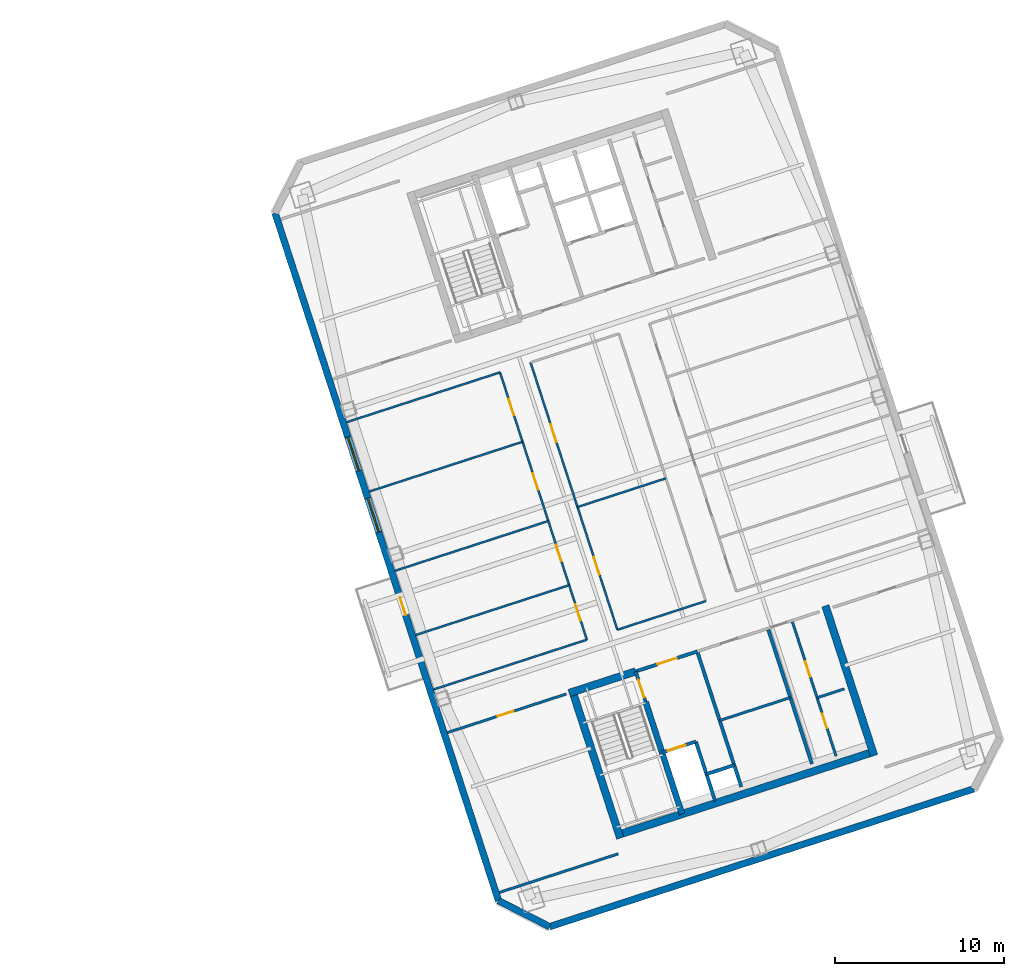
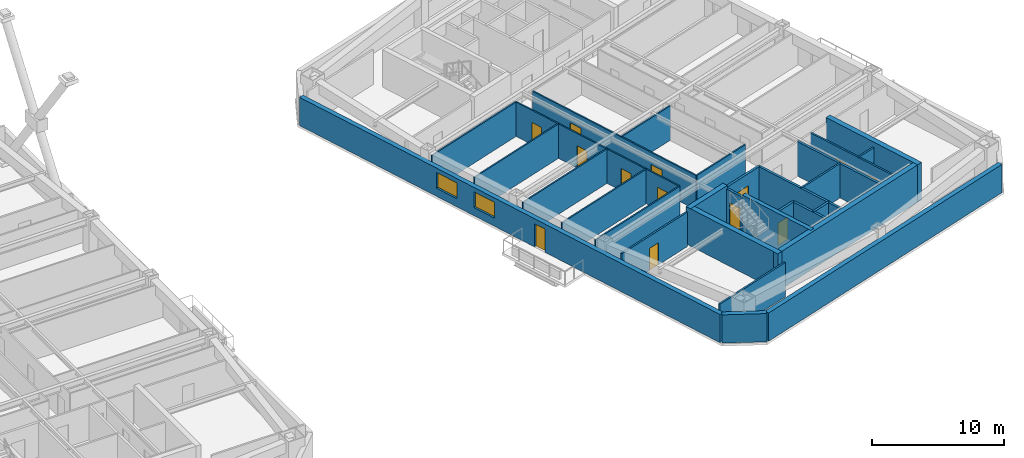
# One storey, part 9 of 16: 29 walls, 13 doors, 2 windows, 15 openings.
"""IFC4 building model written with IfcOpenShell, lengths in metres."""

from ifc_helpers import new_model, si_unit, direction, frame, frame_2d, origin, place, context, subcontext, project, spatial, rectangle, extrude, material, layer, layer_set, type_object, element, fill, save


model = new_model("IFC4")

# Units and contexts
model_context = context("Model", 3, precision=1e-05, world=origin(), true_north=direction((0.0, 1.0)))
body_context = subcontext(model_context, "Body", "Model", "MODEL_VIEW")
ifc_project = project(units=[si_unit("LENGTHUNIT", "METRE"), si_unit("AREAUNIT", "SQUARE_METRE"), si_unit("VOLUMEUNIT", "CUBIC_METRE"), si_unit("PLANEANGLEUNIT", "RADIAN"), si_unit("MASSUNIT", "GRAM", prefix="KILO")], contexts=[model_context])

# Site, building, storey
site_placement = place(None, origin())
site = spatial("IfcSite", under=ifc_project, at=site_placement, CompositionType="ELEMENT")
building_placement = place(site_placement, origin())
building = spatial("IfcBuilding", under=site, at=building_placement, Name="Qiaolan Cultural Towers", CompositionType="ELEMENT")
storey_placement = place(building_placement, frame((0.0, 0.0, 188.60009765625)))
storey = spatial("IfcBuildingStorey", under=building, at=storey_placement, Name="L50", CompositionType="ELEMENT", Elevation=188.60009765625)

# Walls
ifc_material_1 = material(Name="Concrete C50", Category="concrete")
ifc_layer_1 = layer(ifc_material_1, 0.35009765625)
ifc_layer_set_1 = layer_set([ifc_layer_1], Name="Concrete C50")
wall_type_1 = type_object("IfcWallType", Name="WL-CORE-350", PredefinedType="SHEAR", material=ifc_layer_set_1)
wall_1_placement = place(storey_placement, frame((90.486328125, 20.59423828125, 0.0), z_axis=(0.0, 0.0, 1.0), x_axis=(0.309020428229, -0.951055400562, 0.0)))
element("IfcWall", 1, at=wall_1_placement, inside=storey, type_object=wall_type_1, Name="L50 T2-CS Stair Core Dividing Web", PredefinedType="SHEAR", context=body_context, shape_type="SweptSolid", body=[
    extrude(rectangle(XDim=6.97998046875, YDim=0.35009765625, at=frame_2d((3.489990234375, 0.0))), origin(), (0.0, 0.0, 1.0), 3.449951171875),
])
ifc_material_2 = material(Name="Concrete C50", Category="concrete")
ifc_layer_2 = layer(ifc_material_2, 0.449951171875)
ifc_layer_set_2 = layer_set([ifc_layer_2], Name="Concrete C50")
wall_type_2 = type_object("IfcWallType", Name="WL-CORE-450", PredefinedType="SHEAR", material=ifc_layer_set_2)
wall_2_placement = place(storey_placement, frame((88.701171875, 12.675048828125, 0.0), z_axis=(0.0, 0.0, 1.0), x_axis=(0.95105824505, 0.309011673763, 0.0)))
element("IfcWall", 2, at=wall_2_placement, inside=storey, type_object=wall_type_2, Name="L50 T2-CS Outer Core Shear Wall", PredefinedType="SHEAR", context=body_context, shape_type="SweptSolid", body=[
    extrude(rectangle(XDim=16.250244140625, YDim=0.449951171875, at=frame_2d((8.125, 0.0))), origin(), (0.0, 0.0, 1.0), 3.449951171875),
])
for number, where, z_axis, x_axis, name in (
    (3, (86.1015625, 21.40380859375, 0.0), (0.0, 0.0, 1.0), (0.309035778627, -0.951050412717, 0.0), "L50 T2-CS West Core Shear Wall"),
    (4, (101.12841796875, 26.286376953125, 0.0), (0.0, 0.0, 1.0), (0.309004419953, -0.951060601881, 0.0), "L50 T2-CS East Core Shear Wall"),
):
    element("IfcWall", number, at=place(storey_placement, frame(where, z_axis=z_axis, x_axis=x_axis)), inside=storey, type_object=wall_type_2, Name=name, PredefinedType="SHEAR", context=body_context, shape_type="SweptSolid", body=[
        extrude(rectangle(XDim=9.330078125, YDim=0.449951171875, at=frame_2d((4.6650390625, 0.0))), origin(), (0.0, 0.0, 1.0), 3.449951171875),
    ])
wall_3_placement = place(storey_placement, frame((85.957275390625, 21.120361328125, 0.0), z_axis=(0.0, 0.0, 1.0), x_axis=(0.951064796122, 0.308991510526, 0.0)))
element("IfcWall", 5, at=wall_3_placement, inside=storey, type_object=wall_type_2, Name="L50 T2-CS Stair Front Shear Wall", PredefinedType="SHEAR", context=body_context, shape_type="SweptSolid", body=[
    extrude(rectangle(XDim=4.14501953125, YDim=0.449951171875, at=frame_2d((2.072509765625, 0.0))), origin(), (0.0, 0.0, 1.0), 3.449951171875),
])

# Wall, openings, door, windows
ifc_material_3 = material(Name="Precast Concrete C50 Honed Stone Pier", Category="masonry")
ifc_layer_3 = layer(ifc_material_3, 0.39990234375)
ifc_layer_set_3 = layer_set([ifc_layer_3], Name="Precast Concrete C50 Honed Stone Pier")
wall_type_3 = type_object("IfcWallType", Name="WL-EXT-PIER-400", PredefinedType="SOLIDWALL", material=ifc_layer_set_3)
wall_4_placement = place(storey_placement, frame((81.7763671875, 8.82666015625, 0.0), z_axis=(0.0, 0.0, 1.0), x_axis=(-0.309014228706, 0.951057414911, 0.0)))
wall_4 = element("IfcWall", 6, at=wall_4_placement, inside=storey, type_object=wall_type_3, Name="L50 East Tower Precast Pier Facade Wall F1", PredefinedType="SOLIDWALL", context=body_context, shape_type="SweptSolid", body=[
    extrude(rectangle(XDim=42.800048828125, YDim=0.39990234375, at=frame_2d((21.39990234375, 0.0))), origin(), (0.0, 0.0, 1.0), 2.60986328125),
])
opening_1_placement = place(wall_4_placement, frame((22.949951171875, 0.0, 0.75)))
opening_1 = element("IfcOpeningElement", 7, at=opening_1_placement, cuts=wall_4, Name="Opening W-05", PredefinedType="OPENING", context=body_context, shape_type="SweptSolid", body=[
    extrude(rectangle(XDim=2.10009765625, YDim=1.4599609375, at=frame_2d((1.050048828125, 0.72998046875))), frame((0.0, 0.2099609375, 0.0), z_axis=(0.0, -1.0, 0.0), x_axis=(1.0, 0.0, 0.0)), (0.0, 0.0, 1.0), 0.419921875),
])
opening_2_placement = place(wall_4_placement, frame((26.75, 0.0, 0.75)))
opening_2 = element("IfcOpeningElement", 8, at=opening_2_placement, cuts=wall_4, Name="Opening W-05", PredefinedType="OPENING", context=body_context, shape_type="SweptSolid", body=[
    extrude(rectangle(XDim=2.10009765625, YDim=1.4599609375, at=frame_2d((1.050048828125, 0.72998046875))), frame((0.0, 0.2099609375, 0.0), z_axis=(0.0, -1.0, 0.0), x_axis=(1.0, 0.0, 0.0)), (0.0, 0.0, 1.0), 0.419921875),
])
opening_3_placement = place(wall_4_placement, frame((17.787109375, 0.0, 0.0)))
opening_3 = element("IfcOpeningElement", 9, at=opening_3_placement, cuts=wall_4, Name="Opening BD-01", PredefinedType="OPENING", context=body_context, shape_type="SweptSolid", body=[
    extrude(rectangle(XDim=1.10009765625, YDim=2.14990234375, at=frame_2d((0.550048828125, 1.074951171875))), frame((0.0, 0.2099609375, 0.0), z_axis=(0.0, -1.0, 0.0), x_axis=(1.0, 0.0, 0.0)), (0.0, 0.0, 1.0), 0.419921875),
])
ifc_material_4 = material(Name="Thermally Broken Aluminium Glazed Terrace Door", Category="aluminium")
door_type_1 = type_object("IfcDoorType", Name="DR-BAL-1100", OperationType="NOTDEFINED", PredefinedType="DOOR", material=ifc_material_4)
door_1_placement = place(opening_3_placement, origin())
door_1 = element("IfcDoor", 10, at=door_1_placement, inside=storey, type_object=door_type_1, Name="L50 T2 West Tree Balcony Door", OperationType="SINGLE_SWING_LEFT", OverallHeight=2.14990234375, OverallWidth=1.10009765625, PredefinedType="DOOR", context=body_context, shape_type="SweptSolid", body=[
    extrude(rectangle(XDim=1.10009765625, YDim=2.14990234375, at=frame_2d((0.550048828125, 1.074951171875))), frame((0.0, 0.02490234375, 0.0), z_axis=(0.0, -1.0, 0.0), x_axis=(1.0, 0.0, 0.0)), (0.0, 0.0, 1.0), 0.050048828125),
])
fill(opening_3, door_1)
ifc_material_5 = material(Name="Thermally Broken Aluminium Triple Low-E Glazing", Category="aluminium")
window_type = type_object("IfcWindowType", Name="WN-CHIC-2100", PartitioningType="SINGLE_PANEL", PredefinedType="WINDOW", material=ifc_material_5)
window_1_placement = place(opening_1_placement, origin())
window_1 = element("IfcWindow", 11, at=window_1_placement, inside=storey, type_object=window_type, Name="L50 T2 W Chicago Bay Window 1", OverallHeight=1.4599609375, OverallWidth=2.10009765625, PartitioningType="TRIPLE_PANEL_VERTICAL", PredefinedType="WINDOW", context=body_context, shape_type="SweptSolid", body=[
    extrude(rectangle(XDim=2.10009765625, YDim=1.4599609375, at=frame_2d((1.050048828125, 0.72998046875))), frame((0.0, 0.030029296875, 0.0), z_axis=(0.0, -1.0, 0.0), x_axis=(1.0, 0.0, 0.0)), (0.0, 0.0, 1.0), 0.06005859375),
])
fill(opening_1, window_1)
window_2_placement = place(opening_2_placement, origin())
window_2 = element("IfcWindow", 12, at=window_2_placement, inside=storey, type_object=window_type, Name="L50 T2 W Chicago Bay Window 2", OverallHeight=1.4599609375, OverallWidth=2.10009765625, PartitioningType="TRIPLE_PANEL_VERTICAL", PredefinedType="WINDOW", context=body_context, shape_type="SweptSolid", body=[
    extrude(rectangle(XDim=2.10009765625, YDim=1.4599609375, at=frame_2d((1.050048828125, 0.72998046875))), frame((0.0, 0.030029296875, 0.0), z_axis=(0.0, -1.0, 0.0), x_axis=(1.0, 0.0, 0.0)), (0.0, 0.0, 1.0), 0.06005859375),
])
fill(opening_2, window_2)

# Walls
wall_5_placement = place(storey_placement, frame((109.908447265625, 15.44384765625, 0.0), z_axis=(0.0, 0.0, 1.0), x_axis=(-0.951057580055, -0.30901372044, 0.0)))
element("IfcWall", 13, at=wall_5_placement, inside=storey, type_object=wall_type_3, Name="L50 East Tower Precast Pier Facade Wall F7", PredefinedType="SOLIDWALL", context=body_context, shape_type="SweptSolid", body=[
    extrude(rectangle(XDim=26.39990234375, YDim=0.39990234375, at=frame_2d((13.199951171875, 0.0))), origin(), (0.0, 0.0, 1.0), 2.60986328125),
])
wall_6_placement = place(storey_placement, frame((84.800537109375, 7.285888671875, 0.0), z_axis=(0.0, 0.0, 1.0), x_axis=(-0.891020832027, 0.453962417932, 0.0)))
element("IfcWall", 14, at=wall_6_placement, inside=storey, type_object=wall_type_3, Name="L50 East Tower Precast Pier Facade Wall F8", PredefinedType="SOLIDWALL", context=body_context, shape_type="SweptSolid", body=[
    extrude(rectangle(XDim=3.39404296875, YDim=0.39990234375, at=frame_2d((1.697021484375, 0.0))), origin(), (0.0, 0.0, 1.0), 2.60986328125),
])

# Wall, opening, door
ifc_material_6 = material(Name="Concrete C35 Fire Wall", Category="concrete")
ifc_layer_4 = layer(ifc_material_6, 0.199951171875)
ifc_layer_set_4 = layer_set([ifc_layer_4], Name="Concrete C35 Fire Wall")
wall_type_4 = type_object("IfcWallType", Name="WL-FIRE-200", PredefinedType="PARTITIONING", material=ifc_layer_set_4)
wall_7_placement = place(storey_placement, frame((89.8994140625, 22.401123046875, 0.0), z_axis=(0.0, 0.0, 1.0), x_axis=(0.308932062672, -0.951084108086, 0.0)))
wall_7 = element("IfcWall", 15, at=wall_7_placement, inside=storey, type_object=wall_type_4, Name="L50 T2-CS Smokeproof Stair Entry Wall", PredefinedType="PARTITIONING", context=body_context, shape_type="SweptSolid", body=[
    extrude(rectangle(XDim=1.89990234375, YDim=0.199951171875, at=frame_2d((0.949951171875, 0.0))), origin(), (0.0, 0.0, 1.0), 3.1748046875),
])
opening_4_placement = place(wall_7_placement, frame((0.52001953125, 0.0, 0.0)))
opening_4 = element("IfcOpeningElement", 16, at=opening_4_placement, cuts=wall_7, Name="Opening FD-04", PredefinedType="OPENING", context=body_context, shape_type="SweptSolid", body=[
    extrude(rectangle(XDim=1.10009765625, YDim=2.050048828125, at=frame_2d((0.550048828125, 1.02490234375))), frame((0.0, 0.10986328125, 0.0), z_axis=(0.0, -1.0, 0.0), x_axis=(1.0, 0.0, 0.0)), (0.0, 0.0, 1.0), 0.219970703125),
])
ifc_material_7 = material(Name="Galvanized Steel Command Fire Door", Category="steel")
door_type_2 = type_object("IfcDoorType", Name="DR-FD90-1100", OperationType="NOTDEFINED", PredefinedType="DOOR", material=ifc_material_7)
door_2_placement = place(opening_4_placement, origin())
door_2 = element("IfcDoor", 17, at=door_2_placement, inside=storey, type_object=door_type_2, Name="L50 ST-E1 Smokeproof Stair Fire Door", OperationType="SINGLE_SWING_LEFT", OverallHeight=2.050048828125, OverallWidth=1.10009765625, PredefinedType="DOOR", context=body_context, shape_type="SweptSolid", body=[
    extrude(rectangle(XDim=1.10009765625, YDim=2.050048828125, at=frame_2d((0.550048828125, 1.02490234375))), frame((0.0, 0.02490234375, 0.0), z_axis=(0.0, -1.0, 0.0), x_axis=(1.0, 0.0, 0.0)), (0.0, 0.0, 1.0), 0.050048828125),
])
fill(opening_4, door_2)

# Wall
wall_8_placement = place(storey_placement, frame((93.541748046875, 23.584716796875, 0.0), z_axis=(0.0, 0.0, 1.0), x_axis=(0.309042196757, -0.951048327176, 0.0)))
element("IfcWall", 18, at=wall_8_placement, inside=storey, type_object=wall_type_4, Name="L50 T2-CS Firefighting Zone Wall", PredefinedType="PARTITIONING", context=body_context, shape_type="SweptSolid", body=[
    extrude(rectangle(XDim=8.429931640625, YDim=0.199951171875, at=frame_2d((4.21484375, 0.0))), origin(), (0.0, 0.0, 1.0), 3.1748046875),
])

# Wall, opening, door
wall_9_placement = place(storey_placement, frame((89.8994140625, 22.401123046875, 0.0), z_axis=(0.0, 0.0, 1.0), x_axis=(0.951046716504, 0.309047153403, 0.0)))
wall_9 = element("IfcWall", 19, at=wall_9_placement, inside=storey, type_object=wall_type_4, Name="L50 T2-CS Firefighting Lobby Front Wall", PredefinedType="PARTITIONING", context=body_context, shape_type="SweptSolid", body=[
    extrude(rectangle(XDim=3.829833984375, YDim=0.199951171875, at=frame_2d((1.9150390625, 0.0))), origin(), (0.0, 0.0, 1.0), 3.1748046875),
])
opening_5_placement = place(wall_9_placement, frame((1.35009765625, 0.0, 0.0)))
opening_5 = element("IfcOpeningElement", 20, at=opening_5_placement, cuts=wall_9, Name="Opening FD-03", PredefinedType="OPENING", context=body_context, shape_type="SweptSolid", body=[
    extrude(rectangle(XDim=1.199951171875, YDim=2.050048828125, at=frame_2d((0.60009765625, 1.02490234375))), frame((0.0, 0.10986328125, 0.0), z_axis=(0.0, -1.0, 0.0), x_axis=(1.0, 0.0, 0.0)), (0.0, 0.0, 1.0), 0.219970703125),
])
ifc_material_8 = material(Name="Galvanized Steel Smokeproof Lobby Fire Door", Category="steel")
door_type_3 = type_object("IfcDoorType", Name="DR-FD90-1200", OperationType="NOTDEFINED", PredefinedType="DOOR", material=ifc_material_8)
door_3_placement = place(opening_5_placement, origin())
door_3 = element("IfcDoor", 21, at=door_3_placement, inside=storey, type_object=door_type_3, Name="L50 FFL-E1 Firefighting Lobby Fire Door", OperationType="SINGLE_SWING_LEFT", OverallHeight=2.050048828125, OverallWidth=1.199951171875, PredefinedType="DOOR", context=body_context, shape_type="SweptSolid", body=[
    extrude(rectangle(XDim=1.199951171875, YDim=2.050048828125, at=frame_2d((0.60009765625, 1.02490234375))), frame((0.0, 0.02490234375, 0.0), z_axis=(0.0, -1.0, 0.0), x_axis=(1.0, 0.0, 0.0)), (0.0, 0.0, 1.0), 0.050048828125),
])
fill(opening_5, door_3)

wall_10_placement = place(storey_placement, frame((91.459716796875, 17.598388671875, 0.0), z_axis=(0.0, 0.0, 1.0), x_axis=(0.951062257173, 0.308999325213, 0.0)))
wall_10 = element("IfcWall", 22, at=wall_10_placement, inside=storey, type_object=wall_type_4, Name="L50 T2-CS Firefighting Shaft Front Wall", PredefinedType="PARTITIONING", context=body_context, shape_type="SweptSolid", body=[
    extrude(rectangle(XDim=2.10009765625, YDim=0.199951171875, at=frame_2d((1.050048828125, 0.0))), origin(), (0.0, 0.0, 1.0), 3.1748046875),
])
opening_6_placement = place(wall_10_placement, frame((0.35009765625, 0.0, 0.0)))
opening_6 = element("IfcOpeningElement", 23, at=opening_6_placement, cuts=wall_10, Name="Opening LD-01", PredefinedType="OPENING", context=body_context, shape_type="SweptSolid", body=[
    extrude(rectangle(XDim=1.10009765625, YDim=2.050048828125, at=frame_2d((0.550048828125, 1.02490234375))), frame((0.0, 0.10986328125, 0.0), z_axis=(0.0, -1.0, 0.0), x_axis=(1.0, 0.0, 0.0)), (0.0, 0.0, 1.0), 0.219970703125),
])
ifc_material_9 = material(Name="Brushed Stainless Steel S30408 Centre-Parting Lift Landing Door", Category="steel")
door_type_4 = type_object("IfcDoorType", Name="DR-LIFT-1100", OperationType="NOTDEFINED", PredefinedType="DOOR", material=ifc_material_9)
door_4_placement = place(opening_6_placement, origin())
door_4 = element("IfcDoor", 24, at=door_4_placement, inside=storey, type_object=door_type_4, Name="L50 FFL-E1 Firefighting Lift Landing Door", OperationType="DOUBLE_DOOR_SLIDING", OverallHeight=2.050048828125, OverallWidth=1.10009765625, PredefinedType="DOOR", context=body_context, shape_type="SweptSolid", body=[
    extrude(rectangle(XDim=1.10009765625, YDim=2.050048828125, at=frame_2d((0.550048828125, 1.02490234375))), frame((0.0, 0.02490234375, 0.0), z_axis=(0.0, -1.0, 0.0), x_axis=(1.0, 0.0, 0.0)), (0.0, 0.0, 1.0), 0.050048828125),
])
fill(opening_6, door_4)

# Walls
wall_11_placement = place(storey_placement, frame((93.45703125, 18.247314453125, 0.0), z_axis=(0.0, 0.0, 1.0), x_axis=(0.3089935693, -0.951064127245, 0.0)))
element("IfcWall", 25, at=wall_11_placement, inside=storey, type_object=wall_type_4, Name="L50 T2-CS Firefighting Hoistway East Wall", PredefinedType="PARTITIONING", context=body_context, shape_type="SweptSolid", body=[
    extrude(rectangle(XDim=3.7001953125, YDim=0.199951171875, at=frame_2d((1.85009765625, 0.0))), origin(), (0.0, 0.0, 1.0), 3.1748046875),
])
wall_12_placement = place(storey_placement, frame((94.08447265625, 16.316650390625, 0.0), z_axis=(0.0, 0.0, 1.0), x_axis=(0.951041328149, 0.309063734775, 0.0)))
element("IfcWall", 26, at=wall_12_placement, inside=storey, type_object=wall_type_4, Name="L50 T2-CS Pressurization Shaft Front Wall", PredefinedType="PARTITIONING", context=body_context, shape_type="SweptSolid", body=[
    extrude(rectangle(XDim=1.72998046875, YDim=0.199951171875, at=frame_2d((0.864990234375, 0.0))), origin(), (0.0, 0.0, 1.0), 3.1748046875),
])
wall_13_placement = place(storey_placement, frame((97.7265625, 24.9443359375, 0.0), z_axis=(0.0, 0.0, 1.0), x_axis=(0.309016001439, -0.951056838919, 0.0)))
element("IfcWall", 27, at=wall_13_placement, inside=storey, type_object=wall_type_4, Name="L50 T2-CS Lift Core East Wall", PredefinedType="PARTITIONING", context=body_context, shape_type="SweptSolid", body=[
    extrude(rectangle(XDim=8.429931640625, YDim=0.199951171875, at=frame_2d((4.21484375, 0.0))), origin(), (0.0, 0.0, 1.0), 3.1748046875),
])
ifc_material_10 = material(Name="Gypsum Stud Acoustic Partition", Category="gypsum")
ifc_layer_5 = layer(ifc_material_10, 0.1201171875)
ifc_layer_set_5 = layer_set([ifc_layer_5], Name="Gypsum Stud Acoustic Partition")
wall_type_5 = type_object("IfcWallType", Name="WL-PART-120", PredefinedType="PARTITIONING", material=ifc_layer_set_5)
wall_14_placement = place(storey_placement, frame((77.9248046875, 21.328369140625, 0.0), z_axis=(0.0, 0.0, 1.0), x_axis=(0.951053980838, 0.309024797601, 0.0)))
element("IfcWall", 28, at=wall_14_placement, inside=storey, type_object=wall_type_5, Name="L50 T2 Interior Wall", PredefinedType="PARTITIONING", context=body_context, shape_type="SweptSolid", body=[
    extrude(rectangle(XDim=9.550048828125, YDim=0.1201171875, at=frame_2d((4.77490234375, 0.0))), origin(), (0.0, 0.0, 1.0), 3.1748046875),
])
wall_15_placement = place(storey_placement, frame((88.814453125, 24.86669921875, 0.0), z_axis=(0.0, 0.0, 1.0), x_axis=(0.951061793147, 0.309000753423, 0.0)))
element("IfcWall", 29, at=wall_15_placement, inside=storey, type_object=wall_type_5, Name="L50 T2 Interior Wall", PredefinedType="PARTITIONING", context=body_context, shape_type="SweptSolid", body=[
    extrude(rectangle(XDim=5.499755859375, YDim=0.1201171875, at=frame_2d((2.75, 0.0))), origin(), (0.0, 0.0, 1.0), 3.1748046875),
])
wall_16_placement = place(storey_placement, frame((72.78271484375, 37.15380859375, 0.0), z_axis=(0.0, 0.0, 1.0), x_axis=(0.951053980838, 0.309024797601, 0.0)))
element("IfcWall", 30, at=wall_16_placement, inside=storey, type_object=wall_type_5, Name="L50 T2 Interior Wall", PredefinedType="PARTITIONING", context=body_context, shape_type="SweptSolid", body=[
    extrude(rectangle(XDim=9.550048828125, YDim=0.1201171875, at=frame_2d((4.77490234375, 0.0))), origin(), (0.0, 0.0, 1.0), 3.1748046875),
])

# Wall, openings, doors
wall_17_placement = place(storey_placement, frame((87.00732421875, 24.279541015625, 0.0), z_axis=(0.0, 0.0, 1.0), x_axis=(-0.309022042254, 0.951054876125, 0.0)))
wall_17 = element("IfcWall", 31, at=wall_17_placement, inside=storey, type_object=wall_type_5, Name="L50 T2 Interior Wall", PredefinedType="PARTITIONING", context=body_context, shape_type="SweptSolid", body=[
    extrude(rectangle(XDim=16.639892578125, YDim=0.1201171875, at=frame_2d((8.31982421875, 0.0))), origin(), (0.0, 0.0, 1.0), 3.1748046875),
])
opening_7_placement = place(wall_17_placement, frame((1.197265625, 0.0, 0.0)))
opening_7 = element("IfcOpeningElement", 32, at=opening_7_placement, cuts=wall_17, Name="Opening ID-04", PredefinedType="OPENING", context=body_context, shape_type="SweptSolid", body=[
    extrude(rectangle(XDim=1.0, YDim=2.050048828125, at=frame_2d((0.5, 1.02490234375))), frame((0.0, 0.070068359375, 0.0), z_axis=(0.0, -1.0, 0.0), x_axis=(1.0, 0.0, 0.0)), (0.0, 0.0, 1.0), 0.14013671875),
])
opening_8_placement = place(wall_17_placement, frame((4.89111328125, 0.0, 0.0)))
opening_8 = element("IfcOpeningElement", 33, at=opening_8_placement, cuts=wall_17, Name="Opening ID-04", PredefinedType="OPENING", context=body_context, shape_type="SweptSolid", body=[
    extrude(rectangle(XDim=1.0, YDim=2.050048828125, at=frame_2d((0.5, 1.02490234375))), frame((0.0, 0.070068359375, 0.0), z_axis=(0.0, -1.0, 0.0), x_axis=(1.0, 0.0, 0.0)), (0.0, 0.0, 1.0), 0.14013671875),
])
opening_9_placement = place(wall_17_placement, frame((9.35400390625, 0.0, 0.0)))
opening_9 = element("IfcOpeningElement", 34, at=opening_9_placement, cuts=wall_17, Name="Opening ID-04", PredefinedType="OPENING", context=body_context, shape_type="SweptSolid", body=[
    extrude(rectangle(XDim=1.0, YDim=2.050048828125, at=frame_2d((0.5, 1.02490234375))), frame((0.0, 0.070068359375, 0.0), z_axis=(0.0, -1.0, 0.0), x_axis=(1.0, 0.0, 0.0)), (0.0, 0.0, 1.0), 0.14013671875),
])
opening_10_placement = place(wall_17_placement, frame((13.97998046875, 0.0, 0.0)))
opening_10 = element("IfcOpeningElement", 35, at=opening_10_placement, cuts=wall_17, Name="Opening ID-04", PredefinedType="OPENING", context=body_context, shape_type="SweptSolid", body=[
    extrude(rectangle(XDim=1.0, YDim=2.050048828125, at=frame_2d((0.5, 1.02490234375))), frame((0.0, 0.070068359375, 0.0), z_axis=(0.0, -1.0, 0.0), x_axis=(1.0, 0.0, 0.0)), (0.0, 0.0, 1.0), 0.14013671875),
])
ifc_material_11 = material(Name="Oak Veneer Acoustic Office Door", Category="timber")
door_type_5 = type_object("IfcDoorType", Name="DR-INT-1000", OperationType="NOTDEFINED", PredefinedType="DOOR", material=ifc_material_11)
door_5_placement = place(opening_7_placement, origin())
door_5 = element("IfcDoor", 36, at=door_5_placement, inside=storey, type_object=door_type_5, Name="L50 T2 International Law Office Door", OperationType="SINGLE_SWING_LEFT", OverallHeight=2.050048828125, OverallWidth=1.0, PredefinedType="DOOR", context=body_context, shape_type="SweptSolid", body=[
    extrude(rectangle(XDim=1.0, YDim=2.050048828125, at=frame_2d((0.5, 1.02490234375))), frame((0.0, 0.02490234375, 0.0), z_axis=(0.0, -1.0, 0.0), x_axis=(1.0, 0.0, 0.0)), (0.0, 0.0, 1.0), 0.050048828125),
])
fill(opening_7, door_5)
door_6_placement = place(opening_8_placement, origin())
door_6 = element("IfcDoor", 37, at=door_6_placement, inside=storey, type_object=door_type_5, Name="L50 T2 International Law Office Door", OperationType="SINGLE_SWING_RIGHT", OverallHeight=2.050048828125, OverallWidth=1.0, PredefinedType="DOOR", context=body_context, shape_type="SweptSolid", body=[
    extrude(rectangle(XDim=1.0, YDim=2.050048828125, at=frame_2d((0.5, 1.02490234375))), frame((0.0, 0.02490234375, 0.0), z_axis=(0.0, -1.0, 0.0), x_axis=(1.0, 0.0, 0.0)), (0.0, 0.0, 1.0), 0.050048828125),
])
fill(opening_8, door_6)
door_7_placement = place(opening_9_placement, origin())
door_7 = element("IfcDoor", 38, at=door_7_placement, inside=storey, type_object=door_type_5, Name="L50 T2 International Law Office Door", OperationType="SINGLE_SWING_LEFT", OverallHeight=2.050048828125, OverallWidth=1.0, PredefinedType="DOOR", context=body_context, shape_type="SweptSolid", body=[
    extrude(rectangle(XDim=1.0, YDim=2.050048828125, at=frame_2d((0.5, 1.02490234375))), frame((0.0, 0.02490234375, 0.0), z_axis=(0.0, -1.0, 0.0), x_axis=(1.0, 0.0, 0.0)), (0.0, 0.0, 1.0), 0.050048828125),
])
fill(opening_9, door_7)
door_8_placement = place(opening_10_placement, origin())
door_8 = element("IfcDoor", 39, at=door_8_placement, inside=storey, type_object=door_type_5, Name="L50 T2 Arbitration Room Door", OperationType="SINGLE_SWING_RIGHT", OverallHeight=2.050048828125, OverallWidth=1.0, PredefinedType="DOOR", context=body_context, shape_type="SweptSolid", body=[
    extrude(rectangle(XDim=1.0, YDim=2.050048828125, at=frame_2d((0.5, 1.02490234375))), frame((0.0, 0.02490234375, 0.0), z_axis=(0.0, -1.0, 0.0), x_axis=(1.0, 0.0, 0.0)), (0.0, 0.0, 1.0), 0.050048828125),
])
fill(opening_10, door_8)

wall_18_placement = place(storey_placement, frame((88.814453125, 24.86669921875, 0.0), z_axis=(0.0, 0.0, 1.0), x_axis=(-0.309022042254, 0.951054876125, 0.0)))
wall_18 = element("IfcWall", 40, at=wall_18_placement, inside=storey, type_object=wall_type_5, Name="L50 T2 Interior Wall", PredefinedType="PARTITIONING", context=body_context, shape_type="SweptSolid", body=[
    extrude(rectangle(XDim=16.639892578125, YDim=0.1201171875, at=frame_2d((8.31982421875, 0.0))), origin(), (0.0, 0.0, 1.0), 3.1748046875),
])
opening_11_placement = place(wall_18_placement, frame((3.43798828125, 0.0, 0.0)))
opening_11 = element("IfcOpeningElement", 41, at=opening_11_placement, cuts=wall_18, Name="Opening ID-03", PredefinedType="OPENING", context=body_context, shape_type="SweptSolid", body=[
    extrude(rectangle(XDim=1.10009765625, YDim=2.050048828125, at=frame_2d((0.550048828125, 1.02490234375))), frame((0.0, 0.070068359375, 0.0), z_axis=(0.0, -1.0, 0.0), x_axis=(1.0, 0.0, 0.0)), (0.0, 0.0, 1.0), 0.14013671875),
])
opening_12_placement = place(wall_18_placement, frame((11.68994140625, 0.0, 0.0)))
opening_12 = element("IfcOpeningElement", 42, at=opening_12_placement, cuts=wall_18, Name="Opening ID-03", PredefinedType="OPENING", context=body_context, shape_type="SweptSolid", body=[
    extrude(rectangle(XDim=1.10009765625, YDim=2.050048828125, at=frame_2d((0.550048828125, 1.02490234375))), frame((0.0, 0.070068359375, 0.0), z_axis=(0.0, -1.0, 0.0), x_axis=(1.0, 0.0, 0.0)), (0.0, 0.0, 1.0), 0.14013671875),
])
ifc_material_12 = material(Name="Oak Veneer Solid-Core Boardroom Door", Category="timber")
door_type_6 = type_object("IfcDoorType", Name="DR-INT-1100", OperationType="NOTDEFINED", PredefinedType="DOOR", material=ifc_material_12)
door_9_placement = place(opening_11_placement, origin())
door_9 = element("IfcDoor", 43, at=door_9_placement, inside=storey, type_object=door_type_6, Name="L50 T2 Central Boardroom Door", OperationType="SINGLE_SWING_LEFT", OverallHeight=2.050048828125, OverallWidth=1.10009765625, PredefinedType="DOOR", context=body_context, shape_type="SweptSolid", body=[
    extrude(rectangle(XDim=1.10009765625, YDim=2.050048828125, at=frame_2d((0.550048828125, 1.02490234375))), frame((0.0, 0.02490234375, 0.0), z_axis=(0.0, -1.0, 0.0), x_axis=(1.0, 0.0, 0.0)), (0.0, 0.0, 1.0), 0.050048828125),
])
fill(opening_11, door_9)
door_10_placement = place(opening_12_placement, origin())
door_10 = element("IfcDoor", 44, at=door_10_placement, inside=storey, type_object=door_type_6, Name="L50 T2 Central Archive Salon Door", OperationType="SINGLE_SWING_RIGHT", OverallHeight=2.050048828125, OverallWidth=1.10009765625, PredefinedType="DOOR", context=body_context, shape_type="SweptSolid", body=[
    extrude(rectangle(XDim=1.10009765625, YDim=2.050048828125, at=frame_2d((0.550048828125, 1.02490234375))), frame((0.0, 0.02490234375, 0.0), z_axis=(0.0, -1.0, 0.0), x_axis=(1.0, 0.0, 0.0)), (0.0, 0.0, 1.0), 0.050048828125),
])
fill(opening_12, door_10)

# Walls
wall_19_placement = place(storey_placement, frame((86.453369140625, 32.132568359375, 0.0), z_axis=(0.0, 0.0, 1.0), x_axis=(0.951052986339, 0.309027858251, 0.0)))
element("IfcWall", 45, at=wall_19_placement, inside=storey, type_object=wall_type_5, Name="L50 T2 Interior Wall", PredefinedType="PARTITIONING", context=body_context, shape_type="SweptSolid", body=[
    extrude(rectangle(XDim=5.500244140625, YDim=0.1201171875, at=frame_2d((2.75, 0.0))), origin(), (0.0, 0.0, 1.0), 3.1748046875),
])
wall_20_placement = place(storey_placement, frame((76.875732421875, 24.556640625, 0.0), z_axis=(0.0, 0.0, 1.0), x_axis=(0.951056422073, 0.309017284359, 0.0)))
element("IfcWall", 46, at=wall_20_placement, inside=storey, type_object=wall_type_5, Name="L50 T2 Interior Wall", PredefinedType="PARTITIONING", context=body_context, shape_type="SweptSolid", body=[
    extrude(rectangle(XDim=9.55029296875, YDim=0.1201171875, at=frame_2d((4.775146484375, 0.0))), origin(), (0.0, 0.0, 1.0), 3.1748046875),
])
for number, where, z_axis, x_axis, name in (
    (47, (75.641845703125, 28.354736328125, 0.0), (0.0, 0.0, 1.0), (0.951053980838, 0.309024797601, 0.0), "L50 T2 Interior Wall"),
    (48, (74.11767578125, 33.04541015625, 0.0), (0.0, 0.0, 1.0), (0.951053980838, 0.309024797601, 0.0), "L50 T2 Interior Wall"),
):
    element("IfcWall", number, at=place(storey_placement, frame(where, z_axis=z_axis, x_axis=x_axis)), inside=storey, type_object=wall_type_5, Name=name, PredefinedType="PARTITIONING", context=body_context, shape_type="SweptSolid", body=[
        extrude(rectangle(XDim=9.550048828125, YDim=0.1201171875, at=frame_2d((4.77490234375, 0.0))), origin(), (0.0, 0.0, 1.0), 3.1748046875),
    ])
ifc_material_13 = material(Name="Autoclaved Aerated Concrete Block B06", Category="concrete")
ifc_layer_6 = layer(ifc_material_13, 0.14990234375)
ifc_layer_set_6 = layer_set([ifc_layer_6], Name="Autoclaved Aerated Concrete Block B06")
wall_type_6 = type_object("IfcWallType", Name="WL-PART-150", PredefinedType="PARTITIONING", material=ifc_layer_set_6)
wall_21_placement = place(storey_placement, frame((94.87060546875, 19.4951171875, 0.0), z_axis=(0.0, 0.0, 1.0), x_axis=(0.951042223598, 0.309060979314, 0.0)))
element("IfcWall", 49, at=wall_21_placement, inside=storey, type_object=wall_type_6, Name="L50 T2-CS Reclaimed Room Subdivider", PredefinedType="PARTITIONING", context=body_context, shape_type="SweptSolid", body=[
    extrude(rectangle(XDim=4.39990234375, YDim=0.14990234375, at=frame_2d((2.199951171875, 0.0))), origin(), (0.0, 0.0, 1.0), 3.1748046875),
])

# Wall, openings, doors
wall_22_placement = place(storey_placement, frame((99.153076171875, 25.407958984375, 0.0), z_axis=(0.0, 0.0, 1.0), x_axis=(0.309016001439, -0.951056838919, 0.0)))
wall_22 = element("IfcWall", 50, at=wall_22_placement, inside=storey, type_object=wall_type_6, Name="L50 T2-CS Washroom Split Wall", PredefinedType="PARTITIONING", context=body_context, shape_type="SweptSolid", body=[
    extrude(rectangle(XDim=8.429931640625, YDim=0.14990234375, at=frame_2d((4.21484375, 0.0))), origin(), (0.0, 0.0, 1.0), 3.1748046875),
])
opening_13_placement = place(wall_22_placement, frame((2.550048828125, 0.0, 0.0)))
opening_13 = element("IfcOpeningElement", 51, at=opening_13_placement, cuts=wall_22, Name="Opening ID-05", PredefinedType="OPENING", context=body_context, shape_type="SweptSolid", body=[
    extrude(rectangle(XDim=0.949951171875, YDim=2.050048828125, at=frame_2d((0.47509765625, 1.02490234375))), frame((0.0, 0.0849609375, 0.0), z_axis=(0.0, -1.0, 0.0), x_axis=(1.0, 0.0, 0.0)), (0.0, 0.0, 1.0), 0.169921875),
])
opening_14_placement = place(wall_22_placement, frame((5.800048828125, 0.0, 0.0)))
opening_14 = element("IfcOpeningElement", 52, at=opening_14_placement, cuts=wall_22, Name="Opening ID-06", PredefinedType="OPENING", context=body_context, shape_type="SweptSolid", body=[
    extrude(rectangle(XDim=0.89990234375, YDim=2.050048828125, at=frame_2d((0.449951171875, 1.02490234375))), frame((0.0, 0.0849609375, 0.0), z_axis=(0.0, -1.0, 0.0), x_axis=(1.0, 0.0, 0.0)), (0.0, 0.0, 1.0), 0.169921875),
])
ifc_material_14 = material(Name="Fire-Rated Laminate Core Service Door", Category="timber")
door_type_7 = type_object("IfcDoorType", Name="DR-INT-900", OperationType="NOTDEFINED", PredefinedType="DOOR", material=ifc_material_14)
door_11_placement = place(opening_14_placement, origin())
door_11 = element("IfcDoor", 53, at=door_11_placement, inside=storey, type_object=door_type_7, Name="L50 First-Aid Room Door", OperationType="SINGLE_SWING_RIGHT", OverallHeight=2.050048828125, OverallWidth=0.89990234375, PredefinedType="DOOR", context=body_context, shape_type="SweptSolid", body=[
    extrude(rectangle(XDim=0.89990234375, YDim=2.050048828125, at=frame_2d((0.449951171875, 1.02490234375))), frame((0.0, 0.02490234375, 0.0), z_axis=(0.0, -1.0, 0.0), x_axis=(1.0, 0.0, 0.0)), (0.0, 0.0, 1.0), 0.050048828125),
])
fill(opening_14, door_11)
ifc_material_15 = material(Name="Fire-Rated Laminate Accessible Core Door", Category="timber")
door_type_8 = type_object("IfcDoorType", Name="DR-INT-950", OperationType="NOTDEFINED", PredefinedType="DOOR", material=ifc_material_15)
door_12_placement = place(opening_13_placement, origin())
door_12 = element("IfcDoor", 54, at=door_12_placement, inside=storey, type_object=door_type_8, Name="L50 Accessible Washroom Door", OperationType="SINGLE_SWING_LEFT", OverallHeight=2.050048828125, OverallWidth=0.949951171875, PredefinedType="DOOR", context=body_context, shape_type="SweptSolid", body=[
    extrude(rectangle(XDim=0.949951171875, YDim=2.050048828125, at=frame_2d((0.47509765625, 1.02490234375))), frame((0.0, 0.02490234375, 0.0), z_axis=(0.0, -1.0, 0.0), x_axis=(1.0, 0.0, 0.0)), (0.0, 0.0, 1.0), 0.050048828125),
])
fill(opening_13, door_12)

# Walls
wall_23_placement = place(storey_placement, frame((100.636474609375, 20.8427734375, 0.0), z_axis=(0.0, 0.0, 1.0), x_axis=(0.951040401051, 0.309066587596, 0.0)))
element("IfcWall", 55, at=wall_23_placement, inside=storey, type_object=wall_type_6, Name="L50 T2-CS First-Aid Wall", PredefinedType="PARTITIONING", context=body_context, shape_type="SweptSolid", body=[
    extrude(rectangle(XDim=1.699951171875, YDim=0.14990234375, at=frame_2d((0.85009765625, 0.0))), origin(), (0.0, 0.0, 1.0), 3.1748046875),
])
wall_24_placement = place(storey_placement, frame((81.82763671875, 9.31640625, 0.0), z_axis=(0.0, 0.0, 1.0), x_axis=(0.95105128112, 0.309033106124, 0.0)))
element("IfcWall", 56, at=wall_24_placement, inside=storey, type_object=wall_type_6, Name="L50 T2 Flank Wall FLK-SW", PredefinedType="PARTITIONING", context=body_context, shape_type="SweptSolid", body=[
    extrude(rectangle(XDim=7.400146484375, YDim=0.14990234375, at=frame_2d((3.7001953125, 0.0))), origin(), (0.0, 0.0, 1.0), 3.1748046875),
])

# Wall, opening, door
wall_25_placement = place(storey_placement, frame((78.7529296875, 18.779541015625, 0.0), z_axis=(0.0, 0.0, 1.0), x_axis=(0.951060977215, 0.309003264738, 0.0)))
wall_25 = element("IfcWall", 57, at=wall_25_placement, inside=storey, type_object=wall_type_6, Name="L50 T2 Flank Front FLK-SW", PredefinedType="PARTITIONING", context=body_context, shape_type="SweptSolid", body=[
    extrude(rectangle(XDim=7.39990234375, YDim=0.14990234375, at=frame_2d((3.699951171875, 0.0))), origin(), (0.0, 0.0, 1.0), 3.1748046875),
])
opening_15_placement = place(wall_25_placement, frame((3.10791015625, 0.0, 0.0)))
opening_15 = element("IfcOpeningElement", 58, at=opening_15_placement, cuts=wall_25, Name="Opening ID-04", PredefinedType="OPENING", context=body_context, shape_type="SweptSolid", body=[
    extrude(rectangle(XDim=1.0, YDim=2.050048828125, at=frame_2d((0.5, 1.02490234375))), frame((0.0, 0.0849609375, 0.0), z_axis=(0.0, -1.0, 0.0), x_axis=(1.0, 0.0, 0.0)), (0.0, 0.0, 1.0), 0.169921875),
])
door_13_placement = place(opening_15_placement, origin())
door_13 = element("IfcDoor", 59, at=door_13_placement, inside=storey, type_object=door_type_5, Name="L50 T2 Corner Studio Door", OperationType="SINGLE_SWING_LEFT", OverallHeight=2.050048828125, OverallWidth=1.0, PredefinedType="DOOR", context=body_context, shape_type="SweptSolid", body=[
    extrude(rectangle(XDim=1.0, YDim=2.050048828125, at=frame_2d((0.5, 1.02490234375))), frame((0.0, 0.02490234375, 0.0), z_axis=(0.0, -1.0, 0.0), x_axis=(1.0, 0.0, 0.0)), (0.0, 0.0, 1.0), 0.050048828125),
])
fill(opening_15, door_13)

save(model, "model.ifc")
